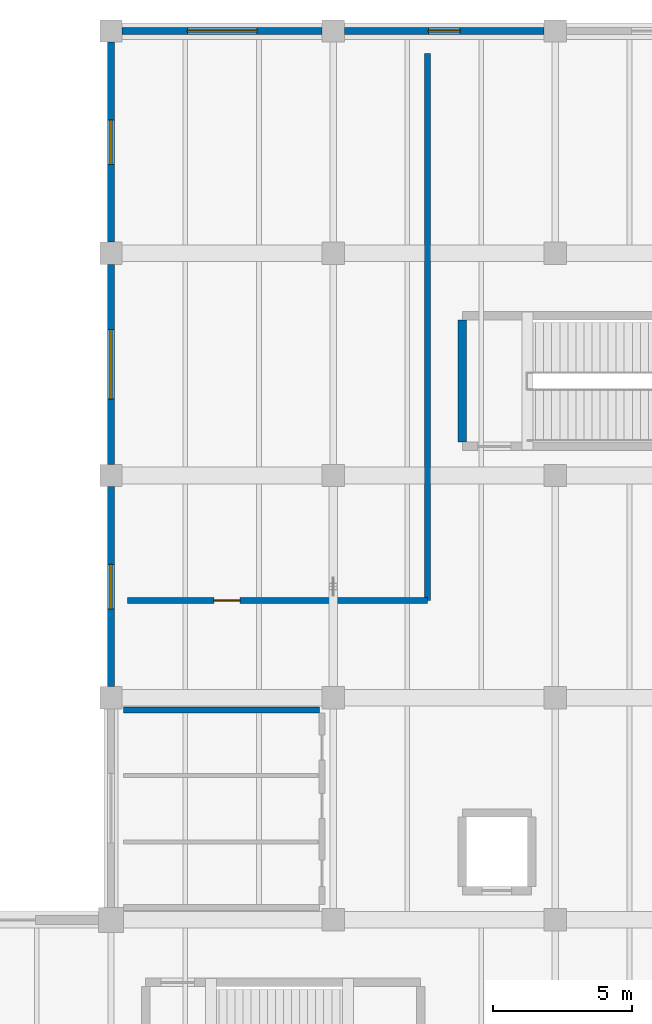
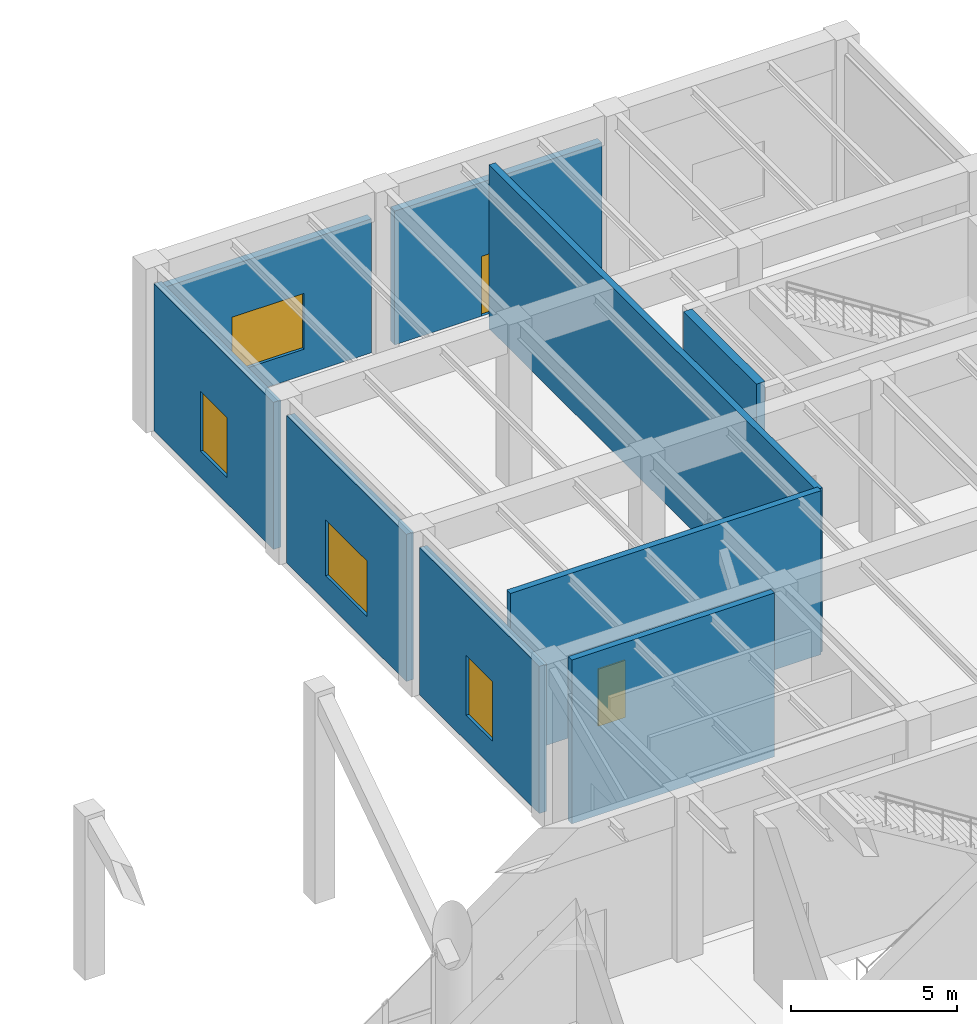
# One storey, part 39 of 51: 9 walls, 4 windows, 2 doors, 6 openings.
"""IFC4 building model written with IfcOpenShell, lengths in metres."""

from ifc_helpers import new_model, si_unit, direction, frame, frame_2d, origin, place, context, subcontext, project, spatial, rectangle, extrude, material, layer, layer_set, type_object, element, fill, save


model = new_model("IFC4")

# Units and contexts
model_context = context("Model", 3, precision=1e-05, world=origin(), true_north=direction((0.0, 1.0)))
body_context = subcontext(model_context, "Body", "Model", "MODEL_VIEW")
ifc_project = project(units=[si_unit("LENGTHUNIT", "METRE"), si_unit("AREAUNIT", "SQUARE_METRE"), si_unit("VOLUMEUNIT", "CUBIC_METRE"), si_unit("PLANEANGLEUNIT", "RADIAN"), si_unit("MASSUNIT", "GRAM", prefix="KILO")], contexts=[model_context])

# Site, building, storey
site_placement = place(None, origin())
site = spatial("IfcSite", under=ifc_project, at=site_placement, CompositionType="ELEMENT")
building_placement = place(site_placement, origin())
building = spatial("IfcBuilding", under=site, at=building_placement, Name="Varnela Railside Interchange", CompositionType="ELEMENT")
storey_placement = place(building_placement, origin())
storey = spatial("IfcBuildingStorey", under=building, at=storey_placement, Name="L00", CompositionType="ELEMENT", Elevation=0.0)

# Wall
ifc_material_1 = material(Name="Masonry concrete block", Category="masonry")
ifc_layer_1 = layer(ifc_material_1, 0.2099609375)
ifc_layer_set_1 = layer_set([ifc_layer_1], Name="Masonry concrete block")
wall_type_1 = type_object("IfcWallType", Name="Sanitary Plumbing Chase Wall IW-04", PredefinedType="PLUMBINGWALL", material=ifc_layer_set_1)
wall_1_placement = place(storey_placement, frame((116.449951171875, 69.550048828125, 0.0), z_axis=(0.0, 0.0, 1.0), x_axis=(1.0, 0.0, 0.0)))
element("IfcWall", 1, at=wall_1_placement, inside=storey, type_object=wall_type_1, Name="Sanitary Plumbing Chase Wall IW-04 (L00) (WL-0397)", PredefinedType="PLUMBINGWALL", context=body_context, shape_type="SweptSolid", body=[
    extrude(rectangle(XDim=7.050048828125, YDim=0.219970703125, at=frame_2d((3.52490234375, 0.0))), origin(), (0.0, 0.0, 1.0), 6.02001953125),
])

# Wall, opening, door
wall_2_placement = place(storey_placement, frame((116.60009765625, 73.5, 0.0), z_axis=(0.0, 0.0, 1.0), x_axis=(1.0, 0.0, 0.0)))
wall_2 = element("IfcWall", 2, at=wall_2_placement, inside=storey, type_object=wall_type_1, Name="Sanitary Plumbing Chase Wall IW-04 (L00) (WL-0408)", PredefinedType="PLUMBINGWALL", context=body_context, shape_type="SweptSolid", body=[
    extrude(rectangle(XDim=10.7998046875, YDim=0.219970703125, at=frame_2d((5.39990234375, 0.0))), origin(), (0.0, 0.0, 1.0), 6.02001953125),
])
opening_1_placement = place(wall_2_placement, frame((3.10009765625, 0.0, 0.0)))
opening_1 = element("IfcOpeningElement", 3, at=opening_1_placement, cuts=wall_2, Name="Opening D-177", PredefinedType="OPENING", context=body_context, shape_type="SweptSolid", body=[
    extrude(rectangle(XDim=0.949951171875, YDim=2.10009765625, at=frame_2d((0.47509765625, 1.050048828125))), frame((0.0, 0.119873046875, 0.0), z_axis=(0.0, -1.0, 0.0), x_axis=(1.0, 0.0, 0.0)), (0.0, 0.0, 1.0), 0.239990234375),
])
ifc_material_2 = material(Name="Timber solid core", Category="wood")
door_type_1 = type_object("IfcDoorType", Name="DR-SGL-950-ACC", OperationType="NOTDEFINED", PredefinedType="DOOR", material=ifc_material_2)
door_1_placement = place(opening_1_placement, origin())
door_1 = element("IfcDoor", 4, at=door_1_placement, inside=storey, type_object=door_type_1, Name="Door D-177", OperationType="SINGLE_SWING_RIGHT", OverallHeight=2.10009765625, OverallWidth=0.949951171875, PredefinedType="DOOR", context=body_context, shape_type="SweptSolid", body=[
    extrude(rectangle(XDim=0.949951171875, YDim=2.10009765625, at=frame_2d((0.47509765625, 1.050048828125))), frame((0.0, 0.02490234375, 0.0), z_axis=(0.0, -1.0, 0.0), x_axis=(1.0, 0.0, 0.0)), (0.0, 0.0, 1.0), 0.050048828125),
])
fill(opening_1, door_1)

# Walls
wall_3_placement = place(storey_placement, frame((127.39990234375, 73.5, 0.0), z_axis=(0.0, 0.0, 1.0), x_axis=(0.0, 1.0, 0.0)))
element("IfcWall", 5, at=wall_3_placement, inside=storey, type_object=wall_type_1, Name="Sanitary Plumbing Chase Wall IW-04 (L00) (WL-0407)", PredefinedType="PLUMBINGWALL", context=body_context, shape_type="SweptSolid", body=[
    extrude(rectangle(XDim=19.699951171875, YDim=0.219970703125, at=frame_2d((9.85009765625, 0.0))), origin(), (0.0, 0.0, 1.0), 6.02001953125),
])
ifc_material_3 = material(Name="Concrete C50", Category="concrete")
ifc_layer_2 = layer(ifc_material_3, 0.300048828125)
ifc_layer_set_2 = layer_set([ifc_layer_2], Name="Concrete C50")
wall_type_2 = type_object("IfcWallType", Name="Stair & Lift Shaft Wall SW-03", PredefinedType="SHEAR", material=ifc_layer_set_2)
wall_4_placement = place(storey_placement, frame((128.64990234375, 79.199951171875, 0.0), z_axis=(0.0, 0.0, 1.0), x_axis=(0.0, 1.0, 0.0)))
element("IfcWall", 6, at=wall_4_placement, inside=storey, type_object=wall_type_2, Name="Stair & Lift Shaft Wall SW-03 (L00) (WL-0449)", PredefinedType="SHEAR", context=body_context, shape_type="SweptSolid", body=[
    extrude(rectangle(XDim=4.400146484375, YDim=0.300048828125, at=frame_2d((2.2001953125, 0.0))), origin(), (0.0, 0.0, 1.0), 6.02001953125),
])

# Wall, opening, window
ifc_material_4 = material(Name="Concrete C40 precast", Category="concrete")
ifc_layer_3 = layer(ifc_material_4, 0.260009765625)
ifc_layer_set_3 = layer_set([ifc_layer_3], Name="Concrete C40 precast")
wall_type_3 = type_object("IfcWallType", Name="Terracotta Precast Study Facade Wall EW-03", PredefinedType="STANDARD", material=ifc_layer_set_3)
wall_5_placement = place(storey_placement, frame((116.0, 70.39990234375, 0.0), z_axis=(0.0, 0.0, 1.0), x_axis=(0.0, 1.0, 0.0)))
wall_5 = element("IfcWall", 7, at=wall_5_placement, inside=storey, type_object=wall_type_3, Name="Terracotta Precast Study Facade Wall EW-03 (L00) (WL-0356)", PredefinedType="STANDARD", context=body_context, shape_type="SweptSolid", body=[
    extrude(rectangle(XDim=7.2001953125, YDim=0.260009765625, at=frame_2d((3.60009765625, 0.0))), origin(), (0.0, 0.0, 1.0), 5.407958984375),
])
opening_2_placement = place(wall_5_placement, frame((2.800048828125, 0.0, 0.949951171875)))
opening_2 = element("IfcOpeningElement", 8, at=opening_2_placement, cuts=wall_5, Name="Opening W-008", PredefinedType="OPENING", context=body_context, shape_type="SweptSolid", body=[
    extrude(rectangle(XDim=1.60009765625, YDim=2.199951171875, at=frame_2d((0.800048828125, 1.10009765625))), frame((0.0, 0.139892578125, 0.0), z_axis=(0.0, -1.0, 0.0), x_axis=(1.0, 0.0, 0.0)), (0.0, 0.0, 1.0), 0.280029296875),
])
ifc_material_5 = material(Name="Glass laminated double", Category="glass")
window_type_1 = type_object("IfcWindowType", Name="Study Pavilion Tall Window WN-03", PartitioningType="SINGLE_PANEL", PredefinedType="WINDOW", material=ifc_material_5)
window_1_placement = place(opening_2_placement, origin())
window_1 = element("IfcWindow", 9, at=window_1_placement, inside=storey, type_object=window_type_1, Name="Window W-008", OverallHeight=2.199951171875, OverallWidth=1.60009765625, PartitioningType="SINGLE_PANEL", PredefinedType="WINDOW", context=body_context, shape_type="SweptSolid", body=[
    extrude(rectangle(XDim=1.60009765625, YDim=2.199951171875, at=frame_2d((0.800048828125, 1.10009765625))), frame((0.0, 0.030029296875, 0.0), z_axis=(0.0, -1.0, 0.0), x_axis=(1.0, 0.0, 0.0)), (0.0, 0.0, 1.0), 0.06005859375),
])
fill(opening_2, window_1)

wall_6_placement = place(storey_placement, frame((116.0, 78.39990234375, 0.0), z_axis=(0.0, 0.0, 1.0), x_axis=(0.0, 1.0, 0.0)))
wall_6 = element("IfcWall", 10, at=wall_6_placement, inside=storey, type_object=wall_type_3, Name="Terracotta Precast Study Facade Wall EW-03 (L00) (WL-0357)", PredefinedType="STANDARD", context=body_context, shape_type="SweptSolid", body=[
    extrude(rectangle(XDim=7.2001953125, YDim=0.260009765625, at=frame_2d((3.60009765625, 0.0))), origin(), (0.0, 0.0, 1.0), 5.407958984375),
])
opening_3_placement = place(wall_6_placement, frame((2.35009765625, 0.0, 0.949951171875)))
opening_3 = element("IfcOpeningElement", 11, at=opening_3_placement, cuts=wall_6, Name="Opening W-009", PredefinedType="OPENING", context=body_context, shape_type="SweptSolid", body=[
    extrude(rectangle(XDim=2.5, YDim=2.050048828125, at=frame_2d((1.25, 1.02490234375))), frame((0.0, 0.139892578125, 0.0), z_axis=(0.0, -1.0, 0.0), x_axis=(1.0, 0.0, 0.0)), (0.0, 0.0, 1.0), 0.280029296875),
])
window_type_2 = type_object("IfcWindowType", Name="Community Room Bay Window WN-20", PartitioningType="SINGLE_PANEL", PredefinedType="WINDOW", material=ifc_material_5)
window_2_placement = place(opening_3_placement, origin())
window_2 = element("IfcWindow", 12, at=window_2_placement, inside=storey, type_object=window_type_2, Name="Window W-009", OverallHeight=2.050048828125, OverallWidth=2.5, PartitioningType="SINGLE_PANEL", PredefinedType="WINDOW", context=body_context, shape_type="SweptSolid", body=[
    extrude(rectangle(XDim=2.5, YDim=2.050048828125, at=frame_2d((1.25, 1.02490234375))), frame((0.0, 0.030029296875, 0.0), z_axis=(0.0, -1.0, 0.0), x_axis=(1.0, 0.0, 0.0)), (0.0, 0.0, 1.0), 0.06005859375),
])
fill(opening_3, window_2)

wall_7_placement = place(storey_placement, frame((116.0, 86.39990234375, 0.0), z_axis=(0.0, 0.0, 1.0), x_axis=(0.0, 1.0, 0.0)))
wall_7 = element("IfcWall", 13, at=wall_7_placement, inside=storey, type_object=wall_type_3, Name="Terracotta Precast Study Facade Wall EW-03 (L00) (WL-0358)", PredefinedType="STANDARD", context=body_context, shape_type="SweptSolid", body=[
    extrude(rectangle(XDim=7.2001953125, YDim=0.260009765625, at=frame_2d((3.60009765625, 0.0))), origin(), (0.0, 0.0, 1.0), 5.407958984375),
])
opening_4_placement = place(wall_7_placement, frame((2.800048828125, 0.0, 0.949951171875)))
opening_4 = element("IfcOpeningElement", 14, at=opening_4_placement, cuts=wall_7, Name="Opening W-010", PredefinedType="OPENING", context=body_context, shape_type="SweptSolid", body=[
    extrude(rectangle(XDim=1.60009765625, YDim=2.199951171875, at=frame_2d((0.800048828125, 1.10009765625))), frame((0.0, 0.139892578125, 0.0), z_axis=(0.0, -1.0, 0.0), x_axis=(1.0, 0.0, 0.0)), (0.0, 0.0, 1.0), 0.280029296875),
])
window_3_placement = place(opening_4_placement, origin())
window_3 = element("IfcWindow", 15, at=window_3_placement, inside=storey, type_object=window_type_1, Name="Window W-010", OverallHeight=2.199951171875, OverallWidth=1.60009765625, PartitioningType="SINGLE_PANEL", PredefinedType="WINDOW", context=body_context, shape_type="SweptSolid", body=[
    extrude(rectangle(XDim=1.60009765625, YDim=2.199951171875, at=frame_2d((0.800048828125, 1.10009765625))), frame((0.0, 0.030029296875, 0.0), z_axis=(0.0, -1.0, 0.0), x_axis=(1.0, 0.0, 0.0)), (0.0, 0.0, 1.0), 0.06005859375),
])
fill(opening_4, window_3)

wall_8_placement = place(storey_placement, frame((116.39990234375, 94.0, 0.0), z_axis=(0.0, 0.0, 1.0), x_axis=(1.0, 0.0, 0.0)))
wall_8 = element("IfcWall", 16, at=wall_8_placement, inside=storey, type_object=wall_type_3, Name="Terracotta Precast Study Facade Wall EW-03 (L00) (WL-0359)", PredefinedType="STANDARD", context=body_context, shape_type="SweptSolid", body=[
    extrude(rectangle(XDim=7.2001953125, YDim=0.260009765625, at=frame_2d((3.60009765625, 0.0))), origin(), (0.0, 0.0, 1.0), 4.919921875),
])
opening_5_placement = place(wall_8_placement, frame((2.35009765625, 0.0, 0.949951171875)))
opening_5 = element("IfcOpeningElement", 17, at=opening_5_placement, cuts=wall_8, Name="Opening W-011", PredefinedType="OPENING", context=body_context, shape_type="SweptSolid", body=[
    extrude(rectangle(XDim=2.5, YDim=2.050048828125, at=frame_2d((1.25, 1.02490234375))), frame((0.0, 0.139892578125, 0.0), z_axis=(0.0, -1.0, 0.0), x_axis=(1.0, 0.0, 0.0)), (0.0, 0.0, 1.0), 0.280029296875),
])
window_4_placement = place(opening_5_placement, origin())
window_4 = element("IfcWindow", 18, at=window_4_placement, inside=storey, type_object=window_type_2, Name="Window W-011", OverallHeight=2.050048828125, OverallWidth=2.5, PartitioningType="SINGLE_PANEL", PredefinedType="WINDOW", context=body_context, shape_type="SweptSolid", body=[
    extrude(rectangle(XDim=2.5, YDim=2.050048828125, at=frame_2d((1.25, 1.02490234375))), frame((0.0, 0.030029296875, 0.0), z_axis=(0.0, -1.0, 0.0), x_axis=(1.0, 0.0, 0.0)), (0.0, 0.0, 1.0), 0.06005859375),
])
fill(opening_5, window_4)

# Wall, opening, door
wall_9_placement = place(storey_placement, frame((124.39990234375, 94.0, 0.0), z_axis=(0.0, 0.0, 1.0), x_axis=(1.0, 0.0, 0.0)))
wall_9 = element("IfcWall", 19, at=wall_9_placement, inside=storey, type_object=wall_type_3, Name="Terracotta Precast Study Facade Wall EW-03 (L00) (WL-0360)", PredefinedType="STANDARD", context=body_context, shape_type="SweptSolid", body=[
    extrude(rectangle(XDim=7.2001953125, YDim=0.260009765625, at=frame_2d((3.60009765625, 0.0))), origin(), (0.0, 0.0, 1.0), 4.919921875),
])
opening_6_placement = place(wall_9_placement, frame((3.02490234375, 0.0, 0.0)))
opening_6 = element("IfcOpeningElement", 20, at=opening_6_placement, cuts=wall_9, Name="Opening D-012", PredefinedType="OPENING", context=body_context, shape_type="SweptSolid", body=[
    extrude(rectangle(XDim=1.14990234375, YDim=2.199951171875, at=frame_2d((0.574951171875, 1.10009765625))), frame((0.0, 0.139892578125, 0.0), z_axis=(0.0, -1.0, 0.0), x_axis=(1.0, 0.0, 0.0)), (0.0, 0.0, 1.0), 0.280029296875),
])
ifc_material_6 = material(Name="Steel AR 350 (350 MPa)", Category="steel")
door_type_2 = type_object("IfcDoorType", Name="Perimeter Fire Exit Single Door ED-07", OperationType="SINGLE_SWING_LEFT", PredefinedType="DOOR", material=ifc_material_6)
door_2_placement = place(opening_6_placement, origin())
door_2 = element("IfcDoor", 21, at=door_2_placement, inside=storey, type_object=door_type_2, Name="Door D-012", OperationType="SINGLE_SWING_LEFT", OverallHeight=2.199951171875, OverallWidth=1.14990234375, PredefinedType="DOOR", context=body_context, shape_type="SweptSolid", body=[
    extrude(rectangle(XDim=1.14990234375, YDim=2.199951171875, at=frame_2d((0.574951171875, 1.10009765625))), frame((0.0, 0.02490234375, 0.0), z_axis=(0.0, -1.0, 0.0), x_axis=(1.0, 0.0, 0.0)), (0.0, 0.0, 1.0), 0.050048828125),
])
fill(opening_6, door_2)

save(model, "model.ifc")
